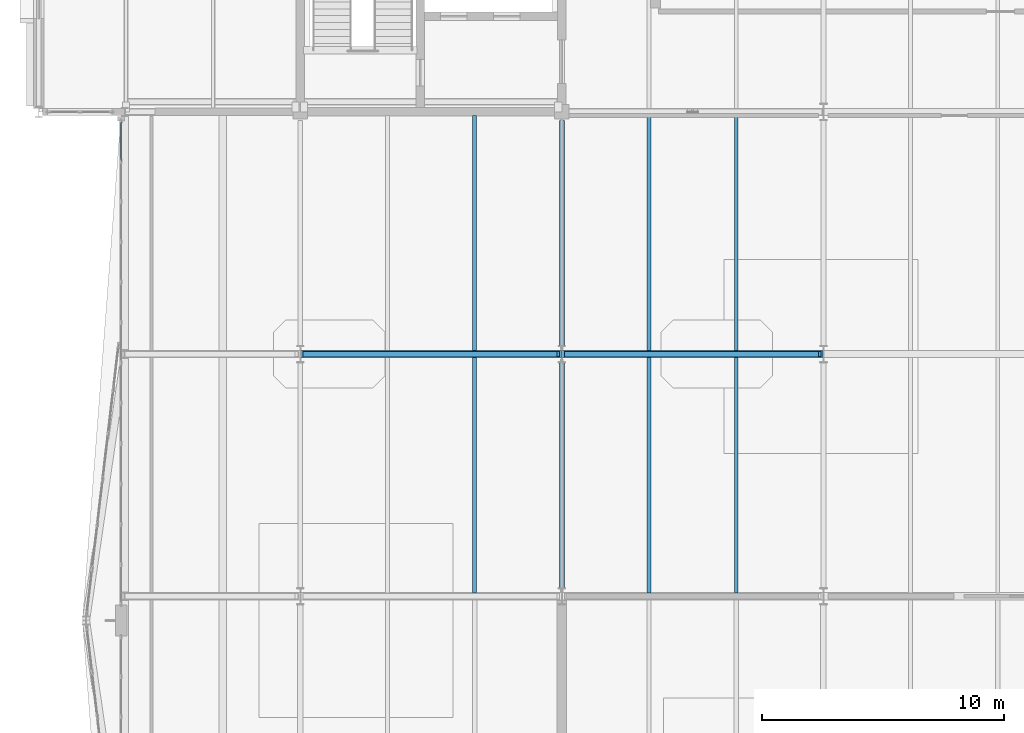
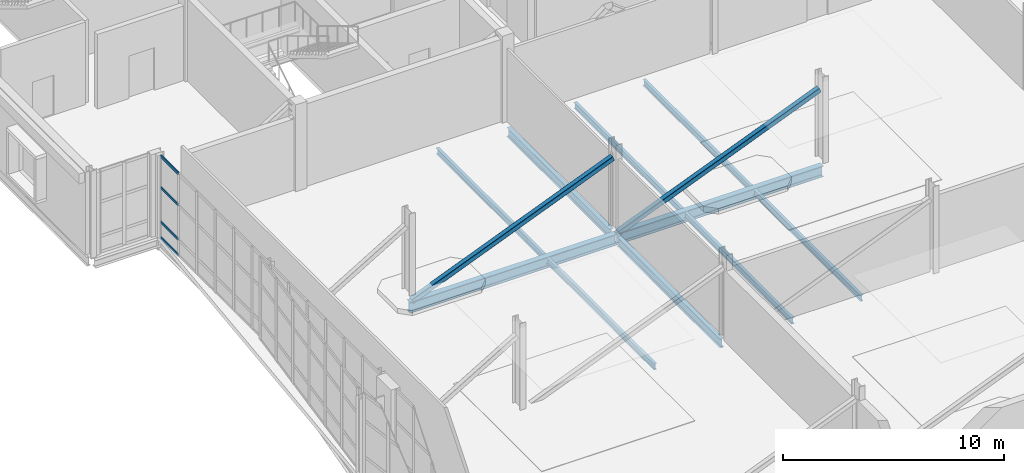
# One storey, part 40 of 100: 10 beams, 6 members, 1 element without a shape of its own.
"""IFC4 building model written with IfcOpenShell, lengths in metres."""

from ifc_helpers import new_model, si_unit, direction, frame, origin, origin_2d, place, context, subcontext, project, spatial, hollow_rectangle, i_section, extrude, material, layer, layer_set, material_profile, profile_set, type_object, element, aggregate, save


model = new_model("IFC4")

# Units and contexts
model_context = context("Model", 3, precision=1e-05, world=origin(), true_north=direction((0.0, 1.0)))
body_context = subcontext(model_context, "Body", "Model", "MODEL_VIEW")
ifc_project = project(units=[si_unit("LENGTHUNIT", "METRE"), si_unit("AREAUNIT", "SQUARE_METRE"), si_unit("VOLUMEUNIT", "CUBIC_METRE"), si_unit("PLANEANGLEUNIT", "RADIAN"), si_unit("MASSUNIT", "GRAM", prefix="KILO")], contexts=[model_context])

# Site, building, storey
site_placement = place(None, origin())
site = spatial("IfcSite", under=ifc_project, at=site_placement, CompositionType="ELEMENT")
building_placement = place(site_placement, origin())
building = spatial("IfcBuilding", under=site, at=building_placement, Name="Tasgan Crest Museum", CompositionType="ELEMENT")
storey_placement = place(building_placement, frame((0.0, 0.0, 9.60009765625)))
storey = spatial("IfcBuildingStorey", under=building, at=storey_placement, Name="L02", CompositionType="ELEMENT", Elevation=9.60009765625)

# Beams
ifc_material_1 = material(Name="Steel S355K2", Category="steel")
ifc_material_profile_1 = material_profile(ifc_material_1, i_section(OverallWidth=0.300048828125, OverallDepth=0.60009765625, WebThickness=0.015380859375, FlangeThickness=0.030029296875, FilletRadius=0.027099609375, at=origin_2d()), Name="HEB 600")
ifc_profile_set_1 = profile_set([ifc_material_profile_1], Name="Steel S355K2")
beam_type_1 = type_object("IfcBeamType", Name="BM-CANT-G1", PredefinedType="BEAM", material=ifc_profile_set_1)
for number, where, z_axis, x_axis, name in (
    (1, (10.806396484375, 72.0, -0.56005859375), (1.0, 0.0, 0.0), (0.0, 1.0, 0.0), "Transfer back-span girder 1 BOT H"),
    (2, (21.6064453125, 72.0, -0.56005859375), (1.0, 0.0, 0.0), (0.0, 1.0, 0.0), "Transfer back-span girder 2 BOT H"),
):
    element("IfcBeam", number, at=place(storey_placement, frame(where, z_axis=z_axis, x_axis=x_axis)), inside=storey, type_object=beam_type_1, Name=name, PredefinedType="BEAM", context=body_context, shape_type="SweptSolid", body=[
        extrude(i_section(OverallWidth=0.300048828125, OverallDepth=0.60009765625, WebThickness=0.015380859375, FlangeThickness=0.030029296875, FilletRadius=0.027099609375, at=origin_2d()), origin(), (0.0, 0.0, 1.0), 10.787109375),
    ])
ifc_material_2 = material(Name="Steel S355J2", Category="steel")
ifc_material_profile_2 = material_profile(ifc_material_2, i_section(OverallWidth=0.199951171875, OverallDepth=0.5, WebThickness=0.01025390625, FlangeThickness=0.01611328125, FilletRadius=0.02099609375, at=origin_2d()), Name="IPE 500")
ifc_profile_set_2 = profile_set([ifc_material_profile_2], Name="Steel S355J2")
beam_type_2 = type_object("IfcBeamType", Name="BM-G-IPE500", PredefinedType="BEAM", material=ifc_profile_set_2)
for number, where, z_axis, x_axis, name in (
    (3, (21.60009765625, 62.344970703125, -0.510009765625), (0.0, 1.0, 0.0), (-1.0, 0.0, 0.0), "Beam L02 3 62.0-72.0"),
    (4, (21.60009765625, 72.344970703125, -0.510009765625), (0.0, 1.0, 0.0), (-1.0, 0.0, 0.0), "Beam L02 3 72.0-82.0"),
):
    element("IfcBeam", number, at=place(storey_placement, frame(where, z_axis=z_axis, x_axis=x_axis)), inside=storey, type_object=beam_type_2, Name=name, PredefinedType="BEAM", context=body_context, shape_type="SweptSolid", body=[
        extrude(i_section(OverallWidth=0.199951171875, OverallDepth=0.5, WebThickness=0.01025390625, FlangeThickness=0.01611328125, FilletRadius=0.02099609375, at=origin_2d()), origin(), (0.0, 0.0, 1.0), 9.31005859375),
    ])
ifc_material_3 = material(Name="Steel S355J2", Category="steel")
ifc_material_profile_3 = material_profile(ifc_material_3, i_section(OverallWidth=0.159912109375, OverallDepth=0.330078125, WebThickness=0.007568359375, FlangeThickness=0.011474609375, FilletRadius=0.01806640625, at=origin_2d()), Name="IPE 330")
ifc_profile_set_3 = profile_set([ifc_material_profile_3], Name="Steel S355J2")
beam_type_3 = type_object("IfcBeamType", Name="BM-J-IPE330", PredefinedType="JOIST", material=ifc_profile_set_3)
for number, where, z_axis, x_axis, name in (
    (5, (18.0, 62.14501953125, -0.425048828125), (0.0, 1.0, 0.0), (-1.0, 0.0, 0.0), "Secondary joist L02 X=18.0 Y=62.0-72.0"),
    (6, (18.0, 72.14501953125, -0.425048828125), (0.0, 1.0, 0.0), (-1.0, 0.0, 0.0), "Secondary joist L02 X=18.0 Y=72.0-82.0"),
    (7, (25.199951171875, 62.14501953125, -0.425048828125), (0.0, 1.0, 0.0), (-1.0, 0.0, 0.0), "Secondary joist L02 X=25.2 Y=62.0-72.0"),
    (8, (28.800048828125, 62.14501953125, -0.425048828125), (0.0, 1.0, 0.0), (-1.0, 0.0, 0.0), "Secondary joist L02 X=28.8 Y=62.0-72.0"),
    (9, (25.199951171875, 72.14501953125, -0.425048828125), (0.0, 1.0, 0.0), (-1.0, 0.0, 0.0), "Secondary joist L02 X=25.2 Y=72.0-82.0"),
    (10, (28.800048828125, 72.14501953125, -0.425048828125), (0.0, 1.0, 0.0), (-1.0, 0.0, 0.0), "Secondary joist L02 X=28.8 Y=72.0-82.0"),
):
    element("IfcBeam", number, at=place(storey_placement, frame(where, z_axis=z_axis, x_axis=x_axis)), inside=storey, type_object=beam_type_3, Name=name, PredefinedType="JOIST", context=body_context, shape_type="SweptSolid", body=[
        extrude(i_section(OverallWidth=0.159912109375, OverallDepth=0.330078125, WebThickness=0.007568359375, FlangeThickness=0.011474609375, FilletRadius=0.01806640625, at=origin_2d()), origin(), (0.0, 0.0, 1.0), 9.7099609375),
    ])

# Curtain wall, members
ifc_material_4 = material(Name="Triple-Glazed Aluminium Curtain Wall", Category="aluminium")
ifc_layer = layer(ifc_material_4, 0.179931640625, Name="CW-CANT-TIP-48")
ifc_layer_set = layer_set([ifc_layer], Name="Triple-Glazed Aluminium Curtain Wall")
curtain_wall_type = type_object("IfcCurtainWallType", Name="CW-CANT-TIP-48", PredefinedType="NOTDEFINED", material=ifc_layer_set)
curtain_wall_placement = place(storey_placement, origin())
curtain_wall = element("IfcCurtainWall", 11, at=curtain_wall_placement, inside=storey, type_object=curtain_wall_type, Name="Curtain wall L02 094", PredefinedType="NOTDEFINED")
ifc_material_5 = material(Name="Anodised Aluminium", Category="aluminium")
ifc_material_profile_4 = material_profile(ifc_material_5, hollow_rectangle(XDim=0.06005859375, YDim=0.14990234375, WallThickness=0.0048828125, at=origin_2d()), Name="ALU TRANSOM 150x60x5")
ifc_profile_set_4 = profile_set([ifc_material_profile_4], Name="Anodised Aluminium")
member_type_1 = type_object("IfcMemberType", Name="CW-TRANSOM-150", PredefinedType="USERDEFINED", material=ifc_profile_set_4)
member_1_placement = place(storey_placement, frame((3.39990234375, 81.574951171875, 0.02978515625), z_axis=(0.0, -1.0, 0.0), x_axis=(1.0, 0.0, 0.0)))
member_1 = element("IfcMember", 12, at=member_1_placement, type_object=member_type_1, Name="CW09 transom 1.1", ObjectType="TRANSOM", PredefinedType="USERDEFINED", context=body_context, shape_type="SweptSolid", body=[
    extrude(hollow_rectangle(XDim=0.06005859375, YDim=0.14990234375, WallThickness=0.0048828125, at=origin_2d()), origin(), (0.0, 0.0, 1.0), 1.57568359375),
])
member_2_placement = place(storey_placement, frame((3.39990234375, 81.574951171875, 0.89990234375), z_axis=(0.0, -1.0, 0.0), x_axis=(1.0, 0.0, 0.0)))
member_2 = element("IfcMember", 13, at=member_2_placement, type_object=member_type_1, Name="CW09 transom 1.2", ObjectType="TRANSOM", PredefinedType="USERDEFINED", context=body_context, shape_type="SweptSolid", body=[
    extrude(hollow_rectangle(XDim=0.06005859375, YDim=0.14990234375, WallThickness=0.0048828125, at=origin_2d()), origin(), (0.0, 0.0, 1.0), 1.57568359375),
])
member_3_placement = place(storey_placement, frame((3.39990234375, 81.574951171875, 2.7998046875), z_axis=(0.0, -1.0, 0.0), x_axis=(1.0, 0.0, 0.0)))
member_3 = element("IfcMember", 14, at=member_3_placement, type_object=member_type_1, Name="CW09 transom 1.3", ObjectType="TRANSOM", PredefinedType="USERDEFINED", context=body_context, shape_type="SweptSolid", body=[
    extrude(hollow_rectangle(XDim=0.06005859375, YDim=0.14990234375, WallThickness=0.0048828125, at=origin_2d()), origin(), (0.0, 0.0, 1.0), 1.57568359375),
])
member_4_placement = place(storey_placement, frame((3.39990234375, 81.574951171875, 4.52978515625), z_axis=(0.0, -1.0, 0.0), x_axis=(1.0, 0.0, 0.0)))
member_4 = element("IfcMember", 15, at=member_4_placement, type_object=member_type_1, Name="CW09 transom 1.4", ObjectType="TRANSOM", PredefinedType="USERDEFINED", context=body_context, shape_type="SweptSolid", body=[
    extrude(hollow_rectangle(XDim=0.06005859375, YDim=0.14990234375, WallThickness=0.0048828125, at=origin_2d()), origin(), (0.0, 0.0, 1.0), 1.57568359375),
])
aggregate(curtain_wall, [member_1, member_2, member_3, member_4])

# Members
ifc_material_6 = material(Name="Steel S355K2", Category="steel")
ifc_material_profile_5 = material_profile(ifc_material_6, hollow_rectangle(XDim=0.260009765625, YDim=0.260009765625, WallThickness=0.01416015625, InnerFilletRadius=0.01416015625, OuterFilletRadius=0.0283203125, at=origin_2d()), Name="SHS 260x260x14.2")
ifc_profile_set_5 = profile_set([ifc_material_profile_5], Name="Steel S355K2")
member_type_2 = type_object("IfcMemberType", Name="TR-CANT-DIAG", PredefinedType="BRACE", material=ifc_profile_set_5)
for number, where, z_axis, x_axis, name in (
    (16, (10.949951171875, 72.0, -0.280029296875), (0.927253929438, 0.0, 0.374433105296), (0.0, 1.0, 0.0), "Transfer truss diagonal L02 H-2"),
    (17, (21.75, 72.0, -0.280029296875), (0.927253929438, 0.0, 0.374433105296), (0.0, 1.0, 0.0), "Transfer truss diagonal L02 H-3"),
):
    element("IfcMember", number, at=place(storey_placement, frame(where, z_axis=z_axis, x_axis=x_axis)), inside=storey, type_object=member_type_2, Name=name, PredefinedType="BRACE", context=body_context, shape_type="SweptSolid", body=[
        extrude(hollow_rectangle(XDim=0.260009765625, YDim=0.260009765625, WallThickness=0.01416015625, InnerFilletRadius=0.01416015625, OuterFilletRadius=0.0283203125, at=origin_2d()), origin(), (0.0, 0.0, 1.0), 11.32373046875),
    ])

save(model, "model.ifc")
